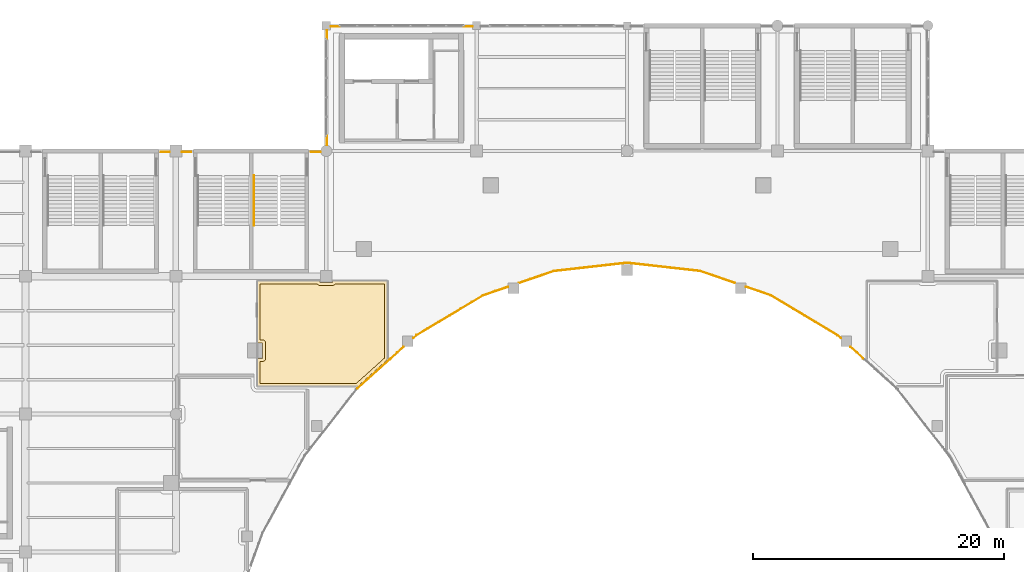
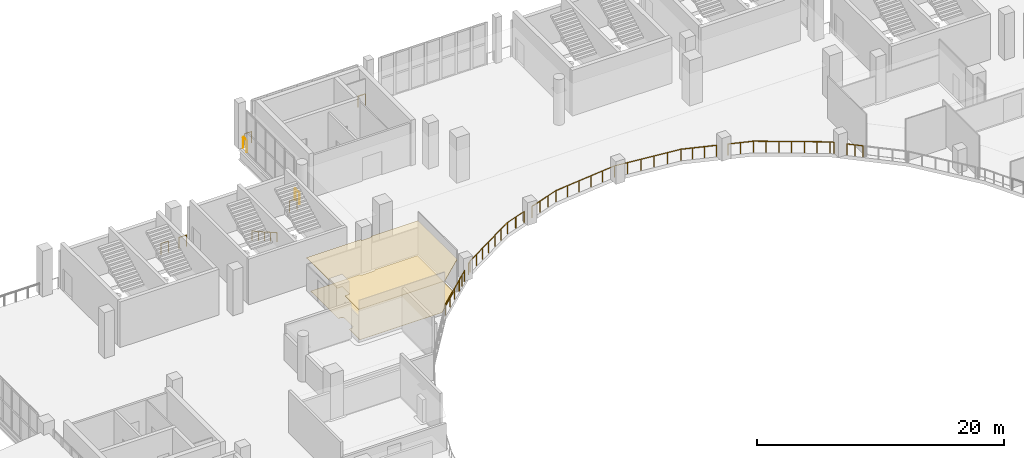
# One storey, part 84 of 90: 14 railings, 2 coverings.
"""IFC4 building model written with IfcOpenShell, lengths in metres."""

from ifc_helpers import new_model, si_unit, direction, frame, origin, origin_2d, place, context, subcontext, project, spatial, polyline, circle, outline, extrude, material, layer, layer_set, type_object, element, save


model = new_model("IFC4")

# Units and contexts
model_context = context("Model", 3, precision=1e-05, world=origin(), true_north=direction((0.0, 1.0)))
body_context = subcontext(model_context, "Body", "Model", "MODEL_VIEW")
ifc_project = project(units=[si_unit("LENGTHUNIT", "METRE"), si_unit("AREAUNIT", "SQUARE_METRE"), si_unit("VOLUMEUNIT", "CUBIC_METRE"), si_unit("PLANEANGLEUNIT", "RADIAN"), si_unit("MASSUNIT", "GRAM", prefix="KILO")], contexts=[model_context])

# Site, building, storey
site_placement = place(None, origin())
site = spatial("IfcSite", under=ifc_project, at=site_placement, CompositionType="ELEMENT")
building_placement = place(site_placement, origin())
building = spatial("IfcBuilding", under=site, at=building_placement, Name="Brinegate Civic Arena", CompositionType="ELEMENT")
storey_placement = place(building_placement, frame((0.0, 0.0, 14.699951171875)))
storey = spatial("IfcBuildingStorey", under=building, at=storey_placement, Name="L03", CompositionType="ELEMENT", Elevation=14.699951171875)

# Coverings
ifc_material_1 = material(Name="Acoustic perforated aluminium ceiling", Category="aluminium")
ifc_layer_1 = layer(ifc_material_1, 0.044921875, Name="Acoustic perforated aluminium ceiling")
ifc_layer_set_1 = layer_set([ifc_layer_1], Name="Acoustic perforated aluminium ceiling")
covering_type_1 = type_object("IfcCoveringType", Name="CEILING-BAFFLE-45", PredefinedType="CEILING", material=ifc_layer_set_1)
covering_1_placement = place(storey_placement, frame((0.0, 0.0, 3.215087890625)))
element("IfcCovering", 1, at=covering_1_placement, inside=storey, type_object=covering_type_1, Name="Acoustic Ceiling L03-201", PredefinedType="CEILING", context=body_context, shape_type="SweptSolid", body=[
    extrude(outline(polyline([(78.4609375, 103.635009765625), (78.4619140625, 103.636962890625), (78.462890625, 103.638916015625), (78.462890625, 103.639892578125), (78.464111328125, 103.64208984375), (78.466064453125, 103.64404296875), (78.467041015625, 103.64501953125), (78.468017578125, 103.64599609375), (78.469970703125, 103.64794921875), (78.471923828125, 103.64892578125), (78.472900390625, 103.64892578125), (78.47509765625, 103.64990234375), (78.47705078125, 103.65087890625), (78.47900390625, 103.65087890625), (78.48095703125, 103.65087890625), (83.514892578125, 103.65087890625), (83.514892578125, 103.514892578125), (84.485107421875, 103.514892578125), (84.485107421875, 103.65087890625), (88.881103515625, 103.65087890625), (88.883056640625, 103.65087890625), (88.885009765625, 103.65087890625), (88.886962890625, 103.64990234375), (88.888916015625, 103.64892578125), (88.889892578125, 103.64892578125), (88.89208984375, 103.64794921875), (88.89404296875, 103.64599609375), (88.89501953125, 103.64501953125), (88.89599609375, 103.64404296875), (88.89794921875, 103.64208984375), (88.89892578125, 103.639892578125), (88.89892578125, 103.638916015625), (88.89990234375, 103.636962890625), (88.90087890625, 103.635009765625), (88.90087890625, 103.633056640625), (88.90087890625, 103.631103515625), (88.90087890625, 97.37890625), (88.90087890625, 97.376953125), (88.90087890625, 97.375), (88.89990234375, 97.373046875), (88.89990234375, 97.3720703125), (88.89892578125, 97.3701171875), (88.89794921875, 97.367919921875), (88.89697265625, 97.366943359375), (88.89599609375, 97.364990234375), (88.89404296875, 97.364013671875), (86.5048828125, 95.216064453125), (86.50390625, 95.215087890625), (86.501953125, 95.214111328125), (86.5, 95.212890625), (86.498046875, 95.2119140625), (86.49609375, 95.2109375), (86.493896484375, 95.2109375), (86.491943359375, 95.2109375), (78.48095703125, 95.2109375), (78.47900390625, 95.2109375), (78.47705078125, 95.2109375), (78.47509765625, 95.2119140625), (78.472900390625, 95.212890625), (78.471923828125, 95.212890625), (78.469970703125, 95.214111328125), (78.468017578125, 95.216064453125), (78.467041015625, 95.217041015625), (78.466064453125, 95.218017578125), (78.464111328125, 95.219970703125), (78.462890625, 95.221923828125), (78.462890625, 95.222900390625), (78.4619140625, 95.22509765625), (78.4609375, 95.22705078125), (78.4609375, 95.22900390625), (78.4609375, 95.23095703125), (78.4609375, 97.451904296875), (78.912109375, 97.451904296875), (78.912109375, 98.672119140625), (78.4609375, 98.672119140625), (78.4609375, 103.631103515625), (78.4609375, 103.633056640625), (78.4609375, 103.635009765625)])), origin(), (0.0, 0.0, 1.0), 0.044921875),
])
ifc_material_2 = material(Name="Polished coral terrazzo flooring")
ifc_layer_2 = layer(ifc_material_2, 0.028076171875, Name="Polished coral terrazzo flooring")
ifc_layer_set_2 = layer_set([ifc_layer_2], Name="Polished coral terrazzo flooring")
covering_type_2 = type_object("IfcCoveringType", Name="FLOORING-TERRAZZO-28", PredefinedType="FLOORING", material=ifc_layer_set_2)
covering_2_placement = place(storey_placement, origin())
element("IfcCovering", 2, at=covering_2_placement, inside=storey, type_object=covering_type_2, Name="Flooring L03-201", PredefinedType="FLOORING", context=body_context, shape_type="SweptSolid", body=[
    extrude(outline(polyline([(78.7109375, 95.4609375), (78.7109375, 97.201904296875), (78.912109375, 97.201904296875), (78.93701171875, 97.202880859375), (78.9609375, 97.20703125), (78.985107421875, 97.212890625), (79.008056640625, 97.220947265625), (79.030029296875, 97.23193359375), (79.051025390625, 97.243896484375), (79.071044921875, 97.259033203125), (79.089111328125, 97.27490234375), (79.10498046875, 97.29296875), (79.1201171875, 97.31298828125), (79.132080078125, 97.333984375), (79.14306640625, 97.35595703125), (79.15087890625, 97.37890625), (79.156982421875, 97.403076171875), (79.160888671875, 97.427001953125), (79.162109375, 97.451904296875), (79.162109375, 98.672119140625), (79.160888671875, 98.697021484375), (79.156982421875, 98.720947265625), (79.15087890625, 98.7451171875), (79.14306640625, 98.76806640625), (79.132080078125, 98.7900390625), (79.1201171875, 98.81103515625), (79.10498046875, 98.8310546875), (79.089111328125, 98.84912109375), (79.071044921875, 98.864990234375), (79.051025390625, 98.8798828125), (79.030029296875, 98.89208984375), (79.008056640625, 98.903076171875), (78.985107421875, 98.910888671875), (78.9609375, 98.9169921875), (78.93701171875, 98.9208984375), (78.912109375, 98.922119140625), (78.7109375, 98.922119140625), (78.7109375, 103.40087890625), (83.29296875, 103.40087890625), (83.294921875, 103.39697265625), (83.306884765625, 103.3759765625), (83.322021484375, 103.35595703125), (83.337890625, 103.337890625), (83.35595703125, 103.322021484375), (83.3759765625, 103.306884765625), (83.39697265625, 103.294921875), (83.4189453125, 103.283935546875), (83.44189453125, 103.27587890625), (83.466064453125, 103.27001953125), (83.489990234375, 103.26611328125), (83.514892578125, 103.264892578125), (84.485107421875, 103.264892578125), (84.510009765625, 103.26611328125), (84.533935546875, 103.27001953125), (84.55810546875, 103.27587890625), (84.5810546875, 103.283935546875), (84.60302734375, 103.294921875), (84.6240234375, 103.306884765625), (84.64404296875, 103.322021484375), (84.662109375, 103.337890625), (84.677978515625, 103.35595703125), (84.693115234375, 103.3759765625), (84.705078125, 103.39697265625), (84.70703125, 103.40087890625), (88.65087890625, 103.40087890625), (88.65087890625, 97.48193359375), (86.404052734375, 95.4609375), (78.7109375, 95.4609375)])), origin(), (0.0, 0.0, 1.0), 0.028076171875),
])

# Railings
ifc_material_3 = material(Name="Architectural stainless steel balustrade", Category="steel")
railing_type_1 = type_object("IfcRailingType", Name="RAIL-STAIR-HANDRAIL-900", PredefinedType="HANDRAIL", material=ifc_material_3)
railing_1_placement = place(storey_placement, frame((78.22509765625, 108.0400390625, 2.25)))
element("IfcRailing", 3, at=railing_1_placement, inside=storey, type_object=railing_type_1, Name="Stair Pitch Handrail ST-11B L03", PredefinedType="HANDRAIL", context=body_context, shape_type="SweptSolid", body=[
    extrude(circle(Radius=0.02392578125, at=origin_2d()), frame((0.0, 0.001220703125, 0.875), z_axis=(0.0, 0.871049806155, -0.491194701923), x_axis=(-1.0, 0.0, 0.0)), (0.0, 0.0, 1.0), 4.57763671875),
    extrude(circle(Radius=0.02099609375, at=origin_2d()), origin(), (0.0, 0.0, 1.0), 0.849853515625),
    extrude(circle(Radius=0.02099609375, at=origin_2d()), frame((0.0, 0.99755859375, -0.5625)), (0.0, 0.0, 1.0), 0.849853515625),
    extrude(circle(Radius=0.02099609375, at=origin_2d()), frame((0.0, 1.9951171875, -1.125)), (0.0, 0.0, 1.0), 0.849853515625),
    extrude(circle(Radius=0.02099609375, at=origin_2d()), frame((0.0, 2.992431640625, -1.6875)), (0.0, 0.0, 1.0), 0.849853515625),
    extrude(circle(Radius=0.02099609375, at=origin_2d()), frame((0.0, 3.989990234375, -2.25)), (0.0, 0.0, 1.0), 0.849853515625),
])
railing_type_2 = type_object("IfcRailingType", Name="RAIL-VOID-BALUSTRADE-1120", PredefinedType="BALUSTRADE", material=ifc_material_3)
for number, where, name in (
    (4, (70.800048828125, 113.929931640625, 0.0), "Deck Edge Balustrade L03-232"),
    (5, (72.4951171875, 113.929931640625, 0.0), "Deck Edge Balustrade L03-233"),
):
    element("IfcRailing", number, at=place(storey_placement, frame(where)), inside=storey, type_object=railing_type_2, Name=name, PredefinedType="BALUSTRADE", context=body_context, shape_type="SweptSolid", body=[
        extrude(circle(Radius=0.02392578125, at=origin_2d()), frame((0.00146484375, 0.0, 1.09619140625), z_axis=(1.0, 0.0, 0.0), x_axis=(0.0, 1.0, 0.0)), (0.0, 0.0, 1.0), 0.701904296875),
        extrude(circle(Radius=0.02099609375, at=origin_2d()), origin(), (0.0, 0.0, 1.0), 1.070068359375),
        extrude(circle(Radius=0.02099609375, at=origin_2d()), frame((0.704833984375, 0.0, 0.0)), (0.0, 0.0, 1.0), 1.070068359375),
    ])
railing_2_placement = place(storey_placement, frame((82.800048828125, 113.929931640625, 0.0)))
element("IfcRailing", 6, at=railing_2_placement, inside=storey, type_object=railing_type_2, Name="Deck Edge Balustrade L03-234", PredefinedType="BALUSTRADE", context=body_context, shape_type="SweptSolid", body=[
    extrude(circle(Radius=0.02392578125, at=origin_2d()), frame((0.00146484375, 0.0, 1.09619140625), z_axis=(1.0, 0.0, 0.0), x_axis=(0.0, 1.0, 0.0)), (0.0, 0.0, 1.0), 0.72705078125),
    extrude(circle(Radius=0.02099609375, at=origin_2d()), origin(), (0.0, 0.0, 1.0), 1.070068359375),
    extrude(circle(Radius=0.02099609375, at=origin_2d()), frame((0.72998046875, 0.0, 0.0)), (0.0, 0.0, 1.0), 1.070068359375),
])
railing_3_placement = place(storey_placement, frame((84.070068359375, 114.469970703125, 0.0)))
element("IfcRailing", 7, at=railing_3_placement, inside=storey, type_object=railing_type_2, Name="Deck Edge Balustrade L03-235", PredefinedType="BALUSTRADE", context=body_context, shape_type="SweptSolid", body=[
    extrude(circle(Radius=0.02392578125, at=origin_2d()), frame((0.0, 0.00146484375, 1.09619140625), z_axis=(0.0, 1.0, 0.0), x_axis=(-1.0, 0.0, 0.0)), (0.0, 0.0, 1.0), 0.713134765625),
    extrude(circle(Radius=0.02099609375, at=origin_2d()), origin(), (0.0, 0.0, 1.0), 1.070068359375),
    extrude(circle(Radius=0.02099609375, at=origin_2d()), frame((0.0, 0.716064453125, 0.0)), (0.0, 0.0, 1.0), 1.070068359375),
])
railing_4_placement = place(storey_placement, frame((84.070068359375, 122.955078125, 0.0)))
element("IfcRailing", 8, at=railing_4_placement, inside=storey, type_object=railing_type_2, Name="Deck Edge Balustrade L03-236", PredefinedType="BALUSTRADE", context=body_context, shape_type="SweptSolid", body=[
    extrude(circle(Radius=0.02392578125, at=origin_2d()), frame((0.0, 0.00146484375, 1.09619140625), z_axis=(0.0, 1.0, 0.0), x_axis=(-1.0, 0.0, 0.0)), (0.0, 0.0, 1.0), 0.671875),
    extrude(circle(Radius=0.02099609375, at=origin_2d()), origin(), (0.0, 0.0, 1.0), 1.070068359375),
    extrude(circle(Radius=0.02099609375, at=origin_2d()), frame((0.0, 0.6748046875, 0.0)), (0.0, 0.0, 1.0), 1.070068359375),
])
railing_5_placement = place(storey_placement, frame((84.3701171875, 123.929931640625, 0.0)))
element("IfcRailing", 9, at=railing_5_placement, inside=storey, type_object=railing_type_2, Name="Deck Edge Balustrade L03-237", PredefinedType="BALUSTRADE", context=body_context, shape_type="SweptSolid", body=[
    extrude(circle(Radius=0.02392578125, at=origin_2d()), frame((0.00146484375, 0.0, 1.09619140625), z_axis=(1.0, 0.0, 0.0), x_axis=(0.0, 1.0, 0.0)), (0.0, 0.0, 1.0), 0.671875),
    extrude(circle(Radius=0.02099609375, at=origin_2d()), origin(), (0.0, 0.0, 1.0), 1.070068359375),
    extrude(circle(Radius=0.02099609375, at=origin_2d()), frame((0.6748046875, 0.0, 0.0)), (0.0, 0.0, 1.0), 1.070068359375),
])
railing_6_placement = place(storey_placement, frame((94.989990234375, 123.929931640625, 0.0)))
element("IfcRailing", 10, at=railing_6_placement, inside=storey, type_object=railing_type_2, Name="Deck Edge Balustrade L03-238", PredefinedType="BALUSTRADE", context=body_context, shape_type="SweptSolid", body=[
    extrude(circle(Radius=0.02392578125, at=origin_2d()), frame((0.00146484375, 0.0, 1.09619140625), z_axis=(1.0, 0.0, 0.0), x_axis=(0.0, 1.0, 0.0)), (0.0, 0.0, 1.0), 0.662109375),
    extrude(circle(Radius=0.02099609375, at=origin_2d()), origin(), (0.0, 0.0, 1.0), 1.070068359375),
    extrude(circle(Radius=0.02099609375, at=origin_2d()), frame((0.6650390625, 0.0, 0.0)), (0.0, 0.0, 1.0), 1.070068359375),
])
railing_7_placement = place(storey_placement, frame((126.839111328125, 97.4560546875, 0.0)))
element("IfcRailing", 11, at=railing_7_placement, inside=storey, type_object=railing_type_2, Name="Deck Edge Balustrade L03-307", PredefinedType="BALUSTRADE", context=body_context, shape_type="SweptSolid", body=[
    extrude(circle(Radius=0.02392578125, at=origin_2d()), frame((-0.001220703125, 0.0009765625, 1.09619140625), z_axis=(-0.7437870628, 0.668416640436, 0.0), x_axis=(-0.668416640436, -0.7437870628, 0.0)), (0.0, 0.0, 1.0), 1.35107421875),
    extrude(circle(Radius=0.02099609375, at=origin_2d()), origin(), (0.0, 0.0, 1.0), 1.070068359375),
    extrude(circle(Radius=0.02099609375, at=origin_2d()), frame((-0.50341796875, 0.45263671875, 0.0)), (0.0, 0.0, 1.0), 1.070068359375),
    extrude(circle(Radius=0.02099609375, at=origin_2d()), frame((-1.007080078125, 0.905029296875, 0.0)), (0.0, 0.0, 1.0), 1.070068359375),
])
railing_8_placement = place(storey_placement, frame((125.054931640625, 99.05908203125, 0.0)))
element("IfcRailing", 12, at=railing_8_placement, inside=storey, type_object=railing_type_2, Name="Deck Edge Balustrade L03-308", PredefinedType="BALUSTRADE", context=body_context, shape_type="SweptSolid", body=[
    extrude(circle(Radius=0.02392578125, at=origin_2d()), frame((-0.001220703125, 0.0009765625, 1.09619140625), z_axis=(-0.743434153976, 0.668809134732, 0.0), x_axis=(-0.668809134732, -0.743434153976, 0.0)), (0.0, 0.0, 1.0), 0.34375),
    extrude(circle(Radius=0.02392578125, at=origin_2d()), frame((-0.259033203125, 0.232666015625, 1.09619140625), z_axis=(-0.857914306851, 0.513792800747, 0.0), x_axis=(-0.513792800747, -0.857914306851, 0.0)), (0.0, 0.0, 1.0), 6.178466796875),
    extrude(circle(Radius=0.02392578125, at=origin_2d()), frame((-5.5625, 3.408447265625, 1.09619140625), z_axis=(-0.945397630459, 0.325919192932, 0.0), x_axis=(-0.325919192932, -0.945397630459, 0.0)), (0.0, 0.0, 1.0), 2.101806640625),
    extrude(circle(Radius=0.02099609375, at=origin_2d()), origin(), (0.0, 0.0, 1.0), 1.070068359375),
    extrude(circle(Radius=0.02099609375, at=origin_2d()), frame((-0.2578125, 0.23193359375, 0.0)), (0.0, 0.0, 1.0), 1.070068359375),
    extrude(circle(Radius=0.02099609375, at=origin_2d()), frame((-1.1416015625, 0.76123046875, 0.0)), (0.0, 0.0, 1.0), 1.070068359375),
    extrude(circle(Radius=0.02099609375, at=origin_2d()), frame((-2.025634765625, 1.29052734375, 0.0)), (0.0, 0.0, 1.0), 1.070068359375),
    extrude(circle(Radius=0.02099609375, at=origin_2d()), frame((-2.909423828125, 1.81982421875, 0.0)), (0.0, 0.0, 1.0), 1.070068359375),
    extrude(circle(Radius=0.02099609375, at=origin_2d()), frame((-3.793212890625, 2.349365234375, 0.0)), (0.0, 0.0, 1.0), 1.070068359375),
    extrude(circle(Radius=0.02099609375, at=origin_2d()), frame((-4.67724609375, 2.878662109375, 0.0)), (0.0, 0.0, 1.0), 1.070068359375),
    extrude(circle(Radius=0.02099609375, at=origin_2d()), frame((-5.56103515625, 3.407958984375, 0.0)), (0.0, 0.0, 1.0), 1.070068359375),
    extrude(circle(Radius=0.02099609375, at=origin_2d()), frame((-6.55615234375, 3.7509765625, 0.0)), (0.0, 0.0, 1.0), 1.070068359375),
    extrude(circle(Radius=0.02099609375, at=origin_2d()), frame((-7.551025390625, 4.093994140625, 0.0)), (0.0, 0.0, 1.0), 1.070068359375),
])
railing_9_placement = place(storey_placement, frame((116.614013671875, 103.458984375, 0.0)))
element("IfcRailing", 13, at=railing_9_placement, inside=storey, type_object=railing_type_2, Name="Deck Edge Balustrade L03-309", PredefinedType="BALUSTRADE", context=body_context, shape_type="SweptSolid", body=[
    extrude(circle(Radius=0.02392578125, at=origin_2d()), frame((-0.00146484375, 0.00048828125, 1.09619140625), z_axis=(-0.945627416009, 0.325251887147, 0.0), x_axis=(-0.325251887147, -0.945627416009, 0.0)), (0.0, 0.0, 1.0), 2.930419921875),
    extrude(circle(Radius=0.02392578125, at=origin_2d()), frame((-2.775390625, 0.95458984375, 1.09619140625), z_axis=(-0.968277323709, 0.249878019022, 0.0), x_axis=(-0.249878019022, -0.968277323709, 0.0)), (0.0, 0.0, 1.0), 0.0126953125),
    extrude(circle(Radius=0.02392578125, at=origin_2d()), frame((-2.79052734375, 0.958251953125, 1.09619140625), z_axis=(-0.993756428361, 0.111571327368, 0.0), x_axis=(-0.111571327368, -0.993756428361, 0.0)), (0.0, 0.0, 1.0), 5.850341796875),
    extrude(circle(Radius=0.02392578125, at=origin_2d()), frame((-8.607421875, 1.611083984375, 1.09619140625), z_axis=(-1.0, 0.0, 0.0), x_axis=(0.0, -1.0, 0.0)), (0.0, 0.0, 1.0), 0.01318359375),
    extrude(circle(Radius=0.02392578125, at=origin_2d()), frame((-8.62353515625, 1.61083984375, 1.09619140625), z_axis=(-0.993756428361, -0.111571327368, 0.0), x_axis=(0.111571327368, -0.993756428361, 0.0)), (0.0, 0.0, 1.0), 5.850341796875),
    extrude(circle(Radius=0.02392578125, at=origin_2d()), frame((-14.4404296875, 0.95751953125, 1.09619140625), z_axis=(-0.968277323709, -0.249878019022, 0.0), x_axis=(0.249878019022, -0.968277323709, 0.0)), (0.0, 0.0, 1.0), 0.0126953125),
    extrude(circle(Radius=0.02392578125, at=origin_2d()), frame((-14.45556640625, 0.95361328125, 1.09619140625), z_axis=(-0.945627416009, -0.325251887147, 0.0), x_axis=(0.325251887147, -0.945627416009, 0.0)), (0.0, 0.0, 1.0), 2.930419921875),
    extrude(circle(Radius=0.02099609375, at=origin_2d()), origin(), (0.0, 0.0, 1.0), 1.070068359375),
    extrude(circle(Radius=0.02099609375, at=origin_2d()), frame((-0.924560546875, 0.318115234375, 0.0)), (0.0, 0.0, 1.0), 1.070068359375),
    extrude(circle(Radius=0.02099609375, at=origin_2d()), frame((-1.849365234375, 0.635986328125, 0.0)), (0.0, 0.0, 1.0), 1.070068359375),
    extrude(circle(Radius=0.02099609375, at=origin_2d()), frame((-2.77392578125, 0.9541015625, 0.0)), (0.0, 0.0, 1.0), 1.070068359375),
    extrude(circle(Radius=0.02099609375, at=origin_2d()), frame((-3.952392578125, 1.088623046875, 0.0)), (0.0, 0.0, 1.0), 1.070068359375),
    extrude(circle(Radius=0.02099609375, at=origin_2d()), frame((-5.11572265625, 1.21923828125, 0.0)), (0.0, 0.0, 1.0), 1.070068359375),
    extrude(circle(Radius=0.02099609375, at=origin_2d()), frame((-6.279296875, 1.349853515625, 0.0)), (0.0, 0.0, 1.0), 1.070068359375),
    extrude(circle(Radius=0.02099609375, at=origin_2d()), frame((-7.442626953125, 1.48046875, 0.0)), (0.0, 0.0, 1.0), 1.070068359375),
    extrude(circle(Radius=0.02099609375, at=origin_2d()), frame((-8.60595703125, 1.611083984375, 0.0)), (0.0, 0.0, 1.0), 1.070068359375),
    extrude(circle(Radius=0.02099609375, at=origin_2d()), frame((-9.785400390625, 1.48046875, 0.0)), (0.0, 0.0, 1.0), 1.070068359375),
    extrude(circle(Radius=0.02099609375, at=origin_2d()), frame((-10.94873046875, 1.349853515625, 0.0)), (0.0, 0.0, 1.0), 1.070068359375),
    extrude(circle(Radius=0.02099609375, at=origin_2d()), frame((-12.1123046875, 1.21923828125, 0.0)), (0.0, 0.0, 1.0), 1.070068359375),
    extrude(circle(Radius=0.02099609375, at=origin_2d()), frame((-13.275634765625, 1.088623046875, 0.0)), (0.0, 0.0, 1.0), 1.070068359375),
    extrude(circle(Radius=0.02099609375, at=origin_2d()), frame((-14.43896484375, 0.9580078125, 0.0)), (0.0, 0.0, 1.0), 1.070068359375),
    extrude(circle(Radius=0.02099609375, at=origin_2d()), frame((-15.378662109375, 0.635986328125, 0.0)), (0.0, 0.0, 1.0), 1.070068359375),
    extrude(circle(Radius=0.02099609375, at=origin_2d()), frame((-16.303466796875, 0.318115234375, 0.0)), (0.0, 0.0, 1.0), 1.070068359375),
    extrude(circle(Radius=0.02099609375, at=origin_2d()), frame((-17.22802734375, 0.0, 0.0)), (0.0, 0.0, 1.0), 1.070068359375),
])
railing_10_placement = place(storey_placement, frame((98.49609375, 103.153076171875, 0.0)))
element("IfcRailing", 14, at=railing_10_placement, inside=storey, type_object=railing_type_2, Name="Deck Edge Balustrade L03-310", PredefinedType="BALUSTRADE", context=body_context, shape_type="SweptSolid", body=[
    extrude(circle(Radius=0.02392578125, at=origin_2d()), frame((-0.00146484375, -0.00048828125, 1.09619140625), z_axis=(-0.94560355468, -0.325321252573, 0.0), x_axis=(0.325321252573, -0.94560355468, 0.0)), (0.0, 0.0, 1.0), 2.087890625),
    extrude(circle(Radius=0.02392578125, at=origin_2d()), frame((-1.978271484375, -0.680908203125, 1.09619140625), z_axis=(-0.8581438728, -0.513409284661, 0.0), x_axis=(0.513409284661, -0.8581438728, 0.0)), (0.0, 0.0, 1.0), 6.178955078125),
    extrude(circle(Radius=0.02392578125, at=origin_2d()), frame((-7.283203125, -3.85498046875, 1.09619140625), z_axis=(-0.746249975306, -0.665665812819, 0.0), x_axis=(0.665665812819, -0.746249975306, 0.0)), (0.0, 0.0, 1.0), 0.357421875),
    extrude(circle(Radius=0.02099609375, at=origin_2d()), origin(), (0.0, 0.0, 1.0), 1.070068359375),
    extrude(circle(Radius=0.02099609375, at=origin_2d()), frame((-0.988525390625, -0.340087890625, 0.0)), (0.0, 0.0, 1.0), 1.070068359375),
    extrude(circle(Radius=0.02099609375, at=origin_2d()), frame((-1.97705078125, -0.68017578125, 0.0)), (0.0, 0.0, 1.0), 1.070068359375),
    extrude(circle(Radius=0.02099609375, at=origin_2d()), frame((-2.861328125, -1.209228515625, 0.0)), (0.0, 0.0, 1.0), 1.070068359375),
    extrude(circle(Radius=0.02099609375, at=origin_2d()), frame((-3.745361328125, -1.738037109375, 0.0)), (0.0, 0.0, 1.0), 1.070068359375),
    extrude(circle(Radius=0.02099609375, at=origin_2d()), frame((-4.62939453125, -2.26708984375, 0.0)), (0.0, 0.0, 1.0), 1.070068359375),
    extrude(circle(Radius=0.02099609375, at=origin_2d()), frame((-5.513671875, -2.796142578125, 0.0)), (0.0, 0.0, 1.0), 1.070068359375),
    extrude(circle(Radius=0.02099609375, at=origin_2d()), frame((-6.39794921875, -3.324951171875, 0.0)), (0.0, 0.0, 1.0), 1.070068359375),
    extrude(circle(Radius=0.02099609375, at=origin_2d()), frame((-7.281982421875, -3.85400390625, 0.0)), (0.0, 0.0, 1.0), 1.070068359375),
    extrude(circle(Radius=0.02099609375, at=origin_2d()), frame((-7.551025390625, -4.093994140625, 0.0)), (0.0, 0.0, 1.0), 1.070068359375),
])
railing_11_placement = place(storey_placement, frame((90.16796875, 98.361083984375, 0.0)))
element("IfcRailing", 15, at=railing_11_placement, inside=storey, type_object=railing_type_2, Name="Deck Edge Balustrade L03-311", PredefinedType="BALUSTRADE", context=body_context, shape_type="SweptSolid", body=[
    extrude(circle(Radius=0.02392578125, at=origin_2d()), frame((-0.001220703125, -0.0009765625, 1.09619140625), z_axis=(-0.7437870628, -0.668416640436, 0.0), x_axis=(0.668416640436, -0.7437870628, 0.0)), (0.0, 0.0, 1.0), 1.35107421875),
    extrude(circle(Radius=0.02099609375, at=origin_2d()), origin(), (0.0, 0.0, 1.0), 1.070068359375),
    extrude(circle(Radius=0.02099609375, at=origin_2d()), frame((-0.50341796875, -0.45263671875, 0.0)), (0.0, 0.0, 1.0), 1.070068359375),
    extrude(circle(Radius=0.02099609375, at=origin_2d()), frame((-1.007080078125, -0.905029296875, 0.0)), (0.0, 0.0, 1.0), 1.070068359375),
])
railing_12_placement = place(storey_placement, frame((89.075927734375, 97.37890625, 0.0)))
element("IfcRailing", 16, at=railing_12_placement, inside=storey, type_object=railing_type_2, Name="Deck Edge Balustrade L03-312", PredefinedType="BALUSTRADE", context=body_context, shape_type="SweptSolid", body=[
    extrude(circle(Radius=0.02392578125, at=origin_2d()), frame((-0.001220703125, -0.0009765625, 1.09619140625), z_axis=(-0.74380411256, -0.668397667664, 0.0), x_axis=(0.668397667664, -0.74380411256, 0.0)), (0.0, 0.0, 1.0), 3.470947265625),
    extrude(circle(Radius=0.02099609375, at=origin_2d()), origin(), (0.0, 0.0, 1.0), 1.070068359375),
    extrude(circle(Radius=0.02099609375, at=origin_2d()), frame((-0.861328125, -0.77392578125, 0.0)), (0.0, 0.0, 1.0), 1.070068359375),
    extrude(circle(Radius=0.02099609375, at=origin_2d()), frame((-1.72265625, -1.548095703125, 0.0)), (0.0, 0.0, 1.0), 1.070068359375),
    extrude(circle(Radius=0.02099609375, at=origin_2d()), frame((-2.583984375, -2.322021484375, 0.0)), (0.0, 0.0, 1.0), 1.070068359375),
])

save(model, "model.ifc")
